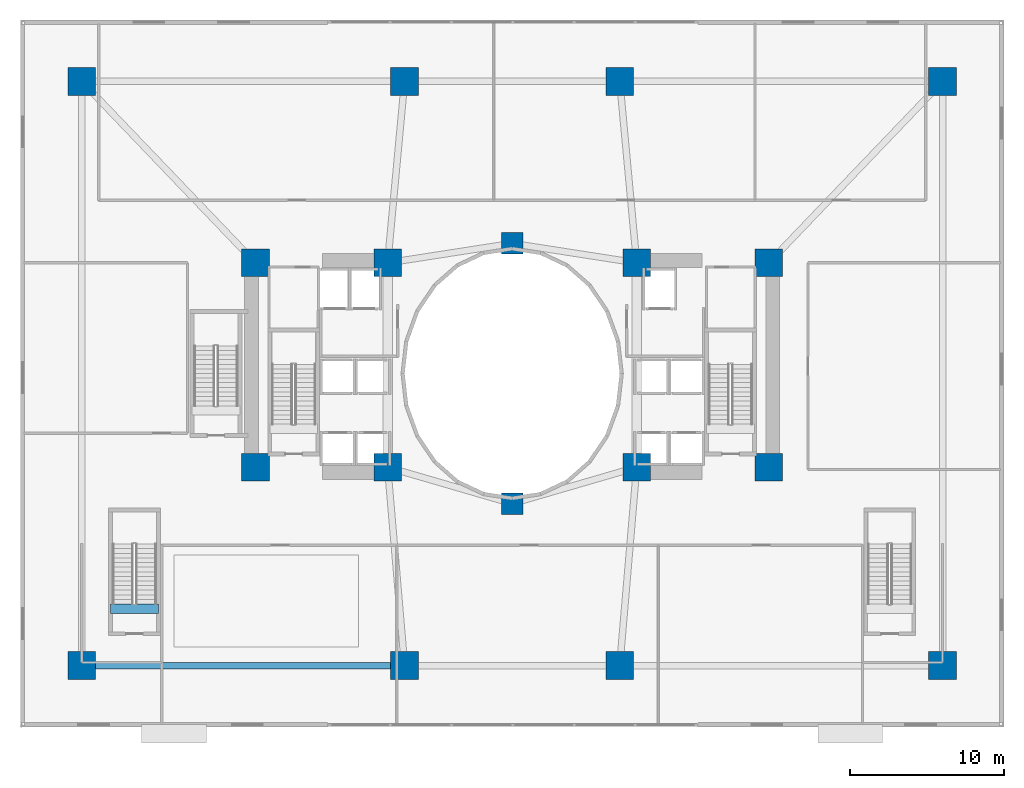
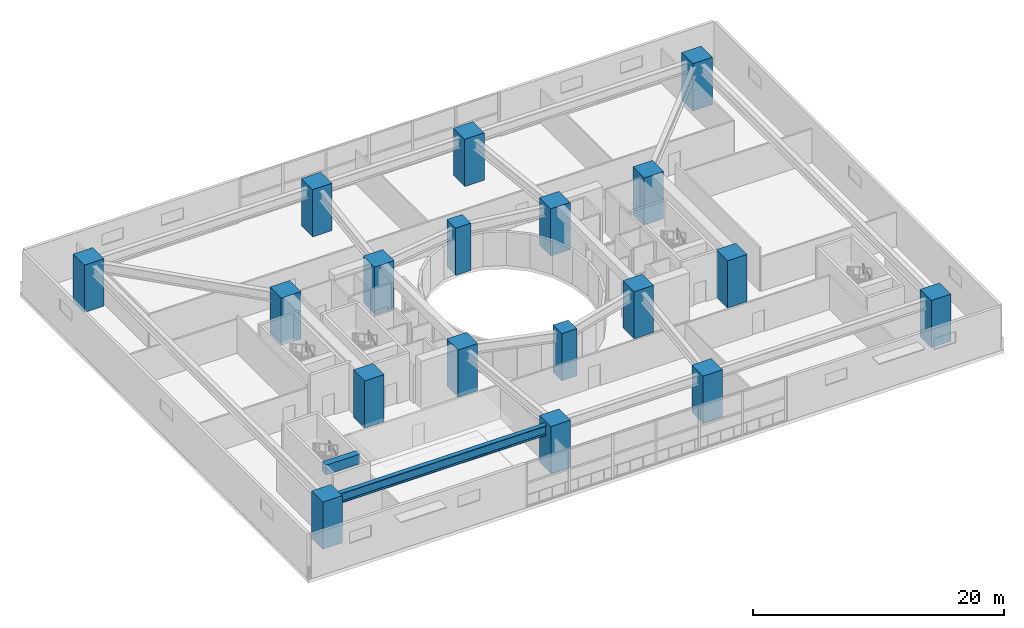
# One storey, part 1 of 20: 18 columns, 2 beams.
"""IFC4 building model written with IfcOpenShell, lengths in metres."""

from ifc_helpers import new_model, si_unit, direction, frame, origin, origin_2d, place, context, subcontext, project, spatial, rectangle, i_section, extrude, material, material_profile, profile_set, type_object, element, save


model = new_model("IFC4")

# Units and contexts
model_context = context("Model", 3, precision=1e-05, world=origin(), true_north=direction((0.0, 1.0)))
body_context = subcontext(model_context, "Body", "Model", "MODEL_VIEW")
ifc_project = project(units=[si_unit("LENGTHUNIT", "METRE"), si_unit("AREAUNIT", "SQUARE_METRE"), si_unit("VOLUMEUNIT", "CUBIC_METRE"), si_unit("PLANEANGLEUNIT", "RADIAN"), si_unit("MASSUNIT", "GRAM", prefix="KILO")], contexts=[model_context])

# Site, building, storey
site_placement = place(None, origin())
site = spatial("IfcSite", under=ifc_project, at=site_placement, CompositionType="ELEMENT")
building_placement = place(site_placement, origin())
building = spatial("IfcBuilding", under=site, at=building_placement, Name="Solvane Sanctuary Tower", CompositionType="ELEMENT")
storey_placement = place(building_placement, frame((0.0, 0.0, 9.199951171875)))
storey = spatial("IfcBuildingStorey", under=building, at=storey_placement, Name="L03", CompositionType="ELEMENT", Elevation=9.199951171875)

# Columns
ifc_material_1 = material(Name="Concrete C70/85", Category="concrete")
ifc_material_profile_1 = material_profile(ifc_material_1, rectangle(XDim=1.800048828125, YDim=1.800048828125, at=origin_2d()), Name="RC1800X1800")
ifc_profile_set_1 = profile_set([ifc_material_profile_1], Name="Concrete C70/85")
column_type_1 = type_object("IfcColumnType", Name="Column C-MEGA RC1800X1800", PredefinedType="COLUMN", material=ifc_profile_set_1)
for number, where, z_axis, x_axis, name in (
    (1, (15.300048828125, 16.89990234375, 0.0), (0.0, 0.0, 1.0), (1.0, 0.0, 0.0), "L03 Core Corner Column CW1"),
    (2, (23.89990234375, 16.89990234375, 0.0), (0.0, 0.0, 1.0), (1.0, 0.0, 0.0), "L03 Core Corner Column CW2"),
    (3, (23.89990234375, 30.199951171875, 0.0), (0.0, 0.0, 1.0), (1.0, 0.0, 0.0), "L03 Core Corner Column CW3"),
    (4, (15.300048828125, 30.199951171875, 0.0), (0.0, 0.0, 1.0), (1.0, 0.0, 0.0), "L03 Core Corner Column CW4"),
    (5, (40.10009765625, 16.89990234375, 0.0), (0.0, 0.0, 1.0), (1.0, 0.0, 0.0), "L03 Core Corner Column CE1"),
    (6, (48.699951171875, 16.89990234375, 0.0), (0.0, 0.0, 1.0), (1.0, 0.0, 0.0), "L03 Core Corner Column CE2"),
    (7, (48.699951171875, 30.199951171875, 0.0), (0.0, 0.0, 1.0), (1.0, 0.0, 0.0), "L03 Core Corner Column CE3"),
    (8, (40.10009765625, 30.199951171875, 0.0), (0.0, 0.0, 1.0), (1.0, 0.0, 0.0), "L03 Core Corner Column CE4"),
    (9, (4.0, 4.0, 0.0), (0.0, 0.0, 1.0), (1.0, 0.0, 0.0), "L03 Podium Mega-Column MC1"),
    (10, (25.0, 4.0, 0.0), (0.0, 0.0, 1.0), (1.0, 0.0, 0.0), "L03 Podium Mega-Column MC2"),
    (11, (39.0, 4.0, 0.0), (0.0, 0.0, 1.0), (1.0, 0.0, 0.0), "L03 Podium Mega-Column MC3"),
    (12, (60.0, 4.0, 0.0), (0.0, 0.0, 1.0), (1.0, 0.0, 0.0), "L03 Podium Mega-Column MC4"),
    (13, (60.0, 42.0, 0.0), (0.0, 0.0, 1.0), (1.0, 0.0, 0.0), "L03 Podium Mega-Column MC5"),
    (14, (39.0, 42.0, 0.0), (0.0, 0.0, 1.0), (1.0, 0.0, 0.0), "L03 Podium Mega-Column MC6"),
    (15, (25.0, 42.0, 0.0), (0.0, 0.0, 1.0), (1.0, 0.0, 0.0), "L03 Podium Mega-Column MC7"),
    (16, (4.0, 42.0, 0.0), (0.0, 0.0, 1.0), (1.0, 0.0, 0.0), "L03 Podium Mega-Column MC8"),
):
    element("IfcColumn", number, at=place(storey_placement, frame(where, z_axis=z_axis, x_axis=x_axis)), inside=storey, type_object=column_type_1, Name=name, PredefinedType="COLUMN", context=body_context, shape_type="SweptSolid", body=[
        extrude(rectangle(XDim=1.800048828125, YDim=1.800048828125, at=origin_2d()), origin(), (0.0, 0.0, 1.0), 4.60009765625),
    ])
ifc_material_profile_2 = material_profile(ifc_material_1, rectangle(XDim=1.39990234375, YDim=1.39990234375, at=origin_2d()), Name="RC1400X1400")
ifc_profile_set_2 = profile_set([ifc_material_profile_2], Name="Concrete C70/85")
column_type_2 = type_object("IfcColumnType", Name="Column C-POD-INT RC1400X1400", PredefinedType="COLUMN", material=ifc_profile_set_2)
for number, where, z_axis, x_axis, name in (
    (17, (32.0, 14.5400390625, 0.0), (0.0, 0.0, 1.0), (1.0, 0.0, 0.0), "L03 Podium Transfer Spine Column PCS"),
    (18, (32.0, 31.4599609375, 0.0), (0.0, 0.0, 1.0), (1.0, 0.0, 0.0), "L03 Podium Transfer Spine Column PCN"),
):
    element("IfcColumn", number, at=place(storey_placement, frame(where, z_axis=z_axis, x_axis=x_axis)), inside=storey, type_object=column_type_2, Name=name, PredefinedType="COLUMN", context=body_context, shape_type="SweptSolid", body=[
        extrude(rectangle(XDim=1.39990234375, YDim=1.39990234375, at=origin_2d()), origin(), (0.0, 0.0, 1.0), 4.60009765625),
    ])

# Beams
ifc_material_profile_3 = material_profile(ifc_material_1, rectangle(XDim=0.60009765625, YDim=0.949951171875, at=origin_2d()), Name="RC600X950")
ifc_profile_set_3 = profile_set([ifc_material_profile_3], Name="Concrete C70/85")
beam_type_1 = type_object("IfcBeamType", Name="Beam B-COUPLE RC600X950", PredefinedType="LINTEL", material=ifc_profile_set_3)
beam_1_placement = place(storey_placement, frame((5.8701171875, 7.69921875, 4.125), z_axis=(1.0, 0.0, 0.0), x_axis=(0.0, 1.0, 0.0)))
element("IfcBeam", 19, at=beam_1_placement, inside=storey, type_object=beam_type_1, Name="L03 ST-4 Stair Floor Landing Trimmer", PredefinedType="LINTEL", context=body_context, shape_type="SweptSolid", body=[
    extrude(rectangle(XDim=0.60009765625, YDim=0.949951171875, at=origin_2d()), origin(), (0.0, 0.0, 1.0), 3.119873046875),
])
ifc_material_2 = material(Name="Steel ASTM A913 Grade 65", Category="steel")
ifc_material_profile_4 = material_profile(ifc_material_2, i_section(OverallWidth=0.423095703125, OverallDepth=0.947998046875, WebThickness=0.02392578125, FlangeThickness=0.042724609375, FilletRadius=0.02392578125, at=origin_2d()), Name="W36X302")
ifc_profile_set_4 = profile_set([ifc_material_profile_4], Name="Steel ASTM A913 Grade 65")
beam_type_2 = type_object("IfcBeamType", Name="Beam B-POD-GIRD W36X302", PredefinedType="BEAM", material=ifc_profile_set_4)
beam_2_placement = place(storey_placement, frame((4.35009765625, 4.0, 3.803955078125), z_axis=(1.0, 0.0, 0.0), x_axis=(0.0, 1.0, 0.0)))
element("IfcBeam", 20, at=beam_2_placement, inside=storey, type_object=beam_type_2, Name="L03 Podium Primary Girder PG1", PredefinedType="BEAM", context=body_context, shape_type="SweptSolid", body=[
    extrude(i_section(OverallWidth=0.423095703125, OverallDepth=0.947998046875, WebThickness=0.02392578125, FlangeThickness=0.042724609375, FilletRadius=0.02392578125, at=origin_2d()), origin(), (0.0, 0.0, 1.0), 20.2998046875),
])

save(model, "model.ifc")
